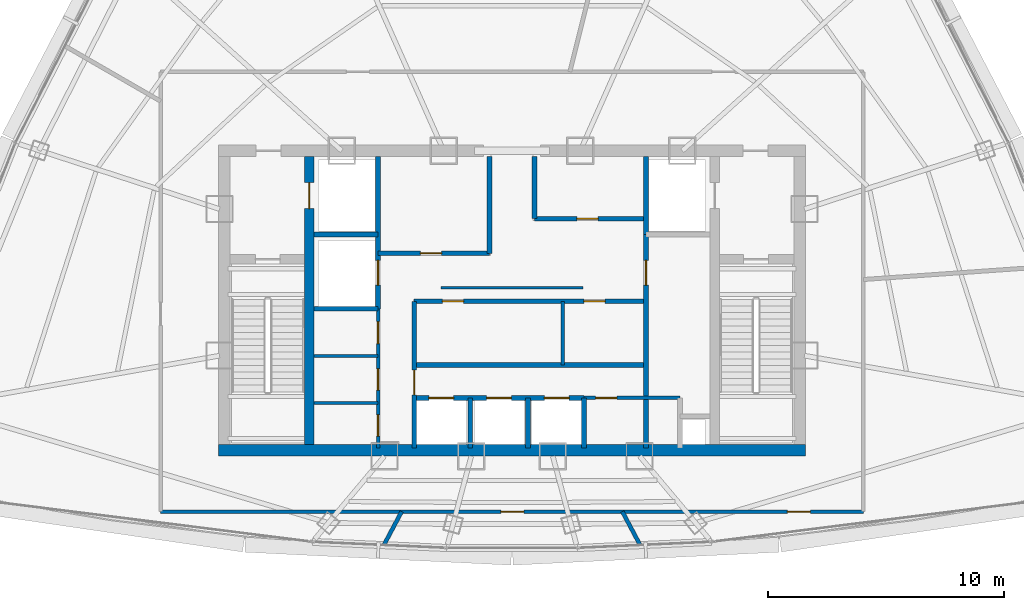
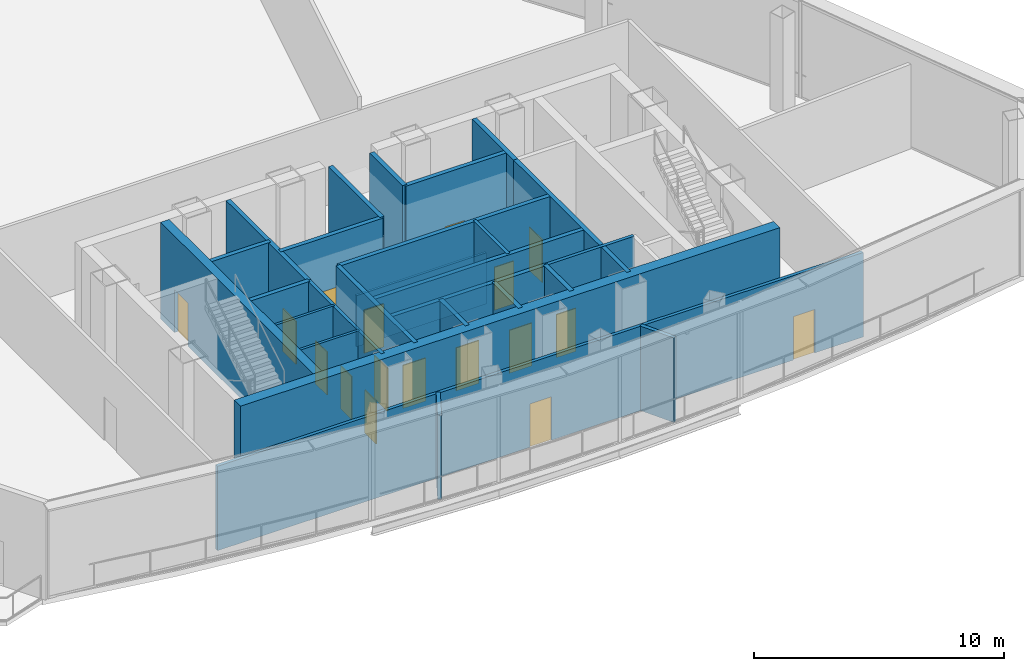
# One storey, part 24 of 29: 27 walls, 17 doors, 17 openings.
"""IFC4 building model written with IfcOpenShell, lengths in metres."""

from ifc_helpers import new_model, si_unit, direction, frame, frame_2d, origin, origin_with_axes, place, context, subcontext, project, spatial, rectangle, extrude, source, transform, mapped, material, layer, layer_set, type_object, element, fill, save


model = new_model("IFC4")

# Units and contexts
model_context = context("Model", 3, precision=1e-05, world=origin(), true_north=direction((0.0, 1.0)))
body_context = subcontext(model_context, "Body", "Model", "MODEL_VIEW")
ifc_project = project(units=[si_unit("LENGTHUNIT", "METRE"), si_unit("AREAUNIT", "SQUARE_METRE"), si_unit("VOLUMEUNIT", "CUBIC_METRE"), si_unit("PLANEANGLEUNIT", "RADIAN"), si_unit("MASSUNIT", "GRAM", prefix="KILO"), si_unit("THERMODYNAMICTEMPERATUREUNIT", "KELVIN"), si_unit("POWERUNIT", "WATT")], contexts=[model_context])

# Site, building, storey
site_placement = place(None, origin())
site = spatial("IfcSite", under=ifc_project, at=site_placement, CompositionType="ELEMENT")
building_placement = place(site_placement, origin())
building = spatial("IfcBuilding", under=site, at=building_placement, Name="Yunzhuo Pagoda Commons", CompositionType="ELEMENT")
storey_placement = place(building_placement, frame((0.0, 0.0, 366.760009765625)))
storey = spatial("IfcBuildingStorey", under=building, at=storey_placement, Name="L92", CompositionType="ELEMENT", Elevation=366.760009765625)

# Walls
ifc_material_1 = material(Name="Concrete C50", Category="concrete")
ifc_layer_1 = layer(ifc_material_1, 0.5)
ifc_layer_set_1 = layer_set([ifc_layer_1], Name="Concrete C50")
wall_type_1 = type_object("IfcWallType", Name="W-C03 Upper Core Shear Wall 500", PredefinedType="SHEAR", material=ifc_layer_set_1)
wall_1_placement = place(storey_placement, frame((35.550048828125, 27.5, 0.0), z_axis=(0.0, 0.0, 1.0), x_axis=(1.0, 0.0, 0.0)))
element("IfcWall", 1, at=wall_1_placement, inside=storey, type_object=wall_type_1, Name="L92 core shear wall S", PredefinedType="SHEAR", context=body_context, shape_type="SweptSolid", body=[
    extrude(rectangle(XDim=24.89990234375, YDim=0.5, at=frame_2d((12.449951171875, 0.0))), origin(), (0.0, 0.0, 1.0), 4.719970703125),
])
ifc_material_2 = material(Name="Gypsum plasterboard on acoustic stud")
ifc_layer_2 = layer(ifc_material_2, 0.14990234375)
ifc_layer_set_2 = layer_set([ifc_layer_2], Name="Gypsum plasterboard on acoustic stud")
wall_type_2 = type_object("IfcWallType", Name="W-COR3 High-Zone Rated Corridor Wall 150", PredefinedType="PARTITIONING", material=ifc_layer_set_2)
wall_2_placement = place(storey_placement, frame((50.14990234375, 31.1201171875, 0.0), z_axis=(0.0, 0.0, 1.0), x_axis=(0.0, 1.0, 0.0)))
element("IfcWall", 2, at=wall_2_placement, inside=storey, type_object=wall_type_2, Name="L92 interior wall IW-L92-FRMD", PredefinedType="PARTITIONING", context=body_context, shape_type="SweptSolid", body=[
    extrude(rectangle(XDim=2.699951171875, YDim=0.14990234375, at=frame_2d((1.35009765625, 0.0))), origin(), (0.0, 0.0, 1.0), 4.719970703125),
])

# Wall, openings, doors
wall_3_placement = place(storey_placement, frame((42.320068359375, 27.60009765625, 0.0), z_axis=(0.0, 0.0, 1.0), x_axis=(0.0, 1.0, 0.0)))
wall_3 = element("IfcWall", 3, at=wall_3_placement, inside=storey, type_object=wall_type_2, Name="L92 interior wall IW-L92-CSWE", PredefinedType="PARTITIONING", context=body_context, shape_type="SweptSolid", body=[
    extrude(rectangle(XDim=5.89990234375, YDim=0.14990234375, at=frame_2d((2.949951171875, 0.0))), origin(), (0.0, 0.0, 1.0), 4.719970703125),
])
opening_1_placement = place(wall_3_placement, frame((0.5, 0.0, 0.0)))
opening_1 = element("IfcOpeningElement", 4, at=opening_1_placement, cuts=wall_3, Name="Opening D-03", PredefinedType="OPENING", context=body_context, shape_type="SweptSolid", body=[
    extrude(rectangle(XDim=0.89990234375, YDim=2.10009765625, at=frame_2d((0.449951171875, 1.050048828125))), frame((0.0, 0.0849609375, 0.0), z_axis=(0.0, -1.0, 0.0), x_axis=(1.0, 0.0, 0.0)), (0.0, 0.0, 1.0), 0.169921875),
])
opening_2_placement = place(wall_3_placement, frame((2.449951171875, 0.0, 0.0)))
opening_2 = element("IfcOpeningElement", 5, at=opening_2_placement, cuts=wall_3, Name="Opening D-03", PredefinedType="OPENING", context=body_context, shape_type="SweptSolid", body=[
    extrude(rectangle(XDim=0.89990234375, YDim=2.10009765625, at=frame_2d((0.449951171875, 1.050048828125))), frame((0.0, 0.0849609375, 0.0), z_axis=(0.0, -1.0, 0.0), x_axis=(1.0, 0.0, 0.0)), (0.0, 0.0, 1.0), 0.169921875),
])
opening_3_placement = place(wall_3_placement, frame((4.419921875, 0.0, 0.0)))
opening_3 = element("IfcOpeningElement", 6, at=opening_3_placement, cuts=wall_3, Name="Opening D-11", PredefinedType="OPENING", context=body_context, shape_type="SweptSolid", body=[
    extrude(rectangle(XDim=0.93994140625, YDim=2.10009765625, at=frame_2d((0.469970703125, 1.050048828125))), frame((0.0, 0.0849609375, 0.0), z_axis=(0.0, -1.0, 0.0), x_axis=(1.0, 0.0, 0.0)), (0.0, 0.0, 1.0), 0.169921875),
])
ifc_material_3 = material(Name="Galvanized fire-resisting metal leaf")
door_type_1 = type_object("IfcDoorType", Name="D-03 Core Service Fire Door 900x2100", OperationType="NOTDEFINED", PredefinedType="DOOR", material=ifc_material_3)
shared_shape_1 = source(origin(), body_context, "Body", "SweptSolid", [
    extrude(rectangle(XDim=0.89990234375, YDim=2.10009765625, at=frame_2d((0.449951171875, 1.050048828125))), frame((0.0, 0.02490234375, 0.0), z_axis=(0.0, -1.0, 0.0), x_axis=(1.0, 0.0, 0.0)), (0.0, 0.0, 1.0), 0.050048828125),
])
door_1_placement = place(opening_1_placement, origin_with_axes())
door_1 = element("IfcDoor", 7, at=door_1_placement, inside=storey, type_object=door_type_1, Name="L92 switch door", OperationType="SINGLE_SWING_RIGHT", OverallHeight=2.10009765625, OverallWidth=0.89990234375, PredefinedType="DOOR", context=body_context, shape_type="MappedRepresentation", body=[
    mapped(shared_shape_1, transform((0.0, 0.0, 0.0), scale=1.0)),
])
fill(opening_1, door_1)
door_2_placement = place(opening_2_placement, origin_with_axes())
door_2 = element("IfcDoor", 8, at=door_2_placement, inside=storey, type_object=door_type_1, Name="L92 cleaner door", OperationType="SINGLE_SWING_RIGHT", OverallHeight=2.10009765625, OverallWidth=0.89990234375, PredefinedType="DOOR", context=body_context, shape_type="MappedRepresentation", body=[
    mapped(shared_shape_1, transform((0.0, 0.0, 0.0), scale=1.0)),
])
fill(opening_2, door_2)
door_type_2 = type_object("IfcDoorType", Name="D-11 Accessible Washroom Fire Door 940x2100", OperationType="NOTDEFINED", PredefinedType="DOOR", material=ifc_material_3)
shared_shape_2 = source(origin(), body_context, "Body", "SweptSolid", [
    extrude(rectangle(XDim=0.93994140625, YDim=2.10009765625, at=frame_2d((0.469970703125, 1.050048828125))), frame((0.0, 0.02490234375, 0.0), z_axis=(0.0, -1.0, 0.0), x_axis=(1.0, 0.0, 0.0)), (0.0, 0.0, 1.0), 0.050048828125),
])
door_3_placement = place(opening_3_placement, origin_with_axes())
door_3 = element("IfcDoor", 9, at=door_3_placement, inside=storey, type_object=door_type_2, Name="L92 core WC door", OperationType="SINGLE_SWING_LEFT", OverallHeight=2.10009765625, OverallWidth=0.93994140625, PredefinedType="DOOR", context=body_context, shape_type="MappedRepresentation", body=[
    mapped(shared_shape_2, transform((0.0, 0.0, 0.0), scale=1.0)),
])
fill(opening_3, door_3)

# Wall, opening, door
wall_4_placement = place(storey_placement, frame((51.050048828125, 29.719970703125, 0.0), z_axis=(0.0, 0.0, 1.0), x_axis=(1.0, 0.0, 0.0)))
wall_4 = element("IfcWall", 10, at=wall_4_placement, inside=storey, type_object=wall_type_2, Name="L92 interior wall IW-L92-CSES", PredefinedType="PARTITIONING", context=body_context, shape_type="SweptSolid", body=[
    extrude(rectangle(XDim=4.070068359375, YDim=0.14990234375, at=frame_2d((2.03515625, 0.0))), origin(), (0.0, 0.0, 1.0), 4.719970703125),
])
opening_4_placement = place(wall_4_placement, frame((0.5, 0.0, 0.0)))
opening_4 = element("IfcOpeningElement", 11, at=opening_4_placement, cuts=wall_4, Name="Opening D-03", PredefinedType="OPENING", context=body_context, shape_type="SweptSolid", body=[
    extrude(rectangle(XDim=0.89990234375, YDim=2.10009765625, at=frame_2d((0.449951171875, 1.050048828125))), frame((0.0, 0.0849609375, 0.0), z_axis=(0.0, -1.0, 0.0), x_axis=(1.0, 0.0, 0.0)), (0.0, 0.0, 1.0), 0.169921875),
])
door_4_placement = place(opening_4_placement, origin_with_axes())
door_4 = element("IfcDoor", 12, at=door_4_placement, inside=storey, type_object=door_type_1, Name="L92 core pantry door", OperationType="SINGLE_SWING_RIGHT", OverallHeight=2.10009765625, OverallWidth=0.89990234375, PredefinedType="DOOR", context=body_context, shape_type="MappedRepresentation", body=[
    mapped(shared_shape_1, transform((0.0, 0.0, 0.0), scale=1.0)),
])
fill(opening_4, door_4)

# Wall, openings, doors
wall_5_placement = place(storey_placement, frame((33.10009765625, 24.89990234375, 0.0), z_axis=(0.0, 0.0, 1.0), x_axis=(1.0, 0.0, 0.0)))
wall_5 = element("IfcWall", 13, at=wall_5_placement, inside=storey, type_object=wall_type_2, Name="L92 interior wall IW-L92-SCW01", PredefinedType="PARTITIONING", context=body_context, shape_type="SweptSolid", body=[
    extrude(rectangle(XDim=29.7998046875, YDim=0.14990234375, at=frame_2d((14.89990234375, 0.0))), origin(), (0.0, 0.0, 1.0), 4.119873046875),
])
opening_5_placement = place(wall_5_placement, frame((14.425048828125, 0.0, 0.0)))
opening_5 = element("IfcOpeningElement", 14, at=opening_5_placement, cuts=wall_5, Name="Opening D-08", PredefinedType="OPENING", context=body_context, shape_type="SweptSolid", body=[
    extrude(rectangle(XDim=0.97998046875, YDim=2.1201171875, at=frame_2d((0.489990234375, 1.06005859375))), frame((0.0, 0.0849609375, 0.0), z_axis=(0.0, -1.0, 0.0), x_axis=(1.0, 0.0, 0.0)), (0.0, 0.0, 1.0), 0.169921875),
])
opening_6_placement = place(wall_5_placement, frame((26.57470703125, 0.0, 0.0)))
opening_6 = element("IfcOpeningElement", 15, at=opening_6_placement, cuts=wall_5, Name="Opening D-08", PredefinedType="OPENING", context=body_context, shape_type="SweptSolid", body=[
    extrude(rectangle(XDim=0.97998046875, YDim=2.1201171875, at=frame_2d((0.489990234375, 1.06005859375))), frame((0.0, 0.0849609375, 0.0), z_axis=(0.0, -1.0, 0.0), x_axis=(1.0, 0.0, 0.0)), (0.0, 0.0, 1.0), 0.169921875),
])
door_type_3 = type_object("IfcDoorType", Name="D-08 High-Zone Suite Entrance Fire Door 980x2120", OperationType="NOTDEFINED", PredefinedType="DOOR", material=ifc_material_3)
shared_shape_3 = source(origin(), body_context, "Body", "SweptSolid", [
    extrude(rectangle(XDim=0.97998046875, YDim=2.1201171875, at=frame_2d((0.489990234375, 1.06005859375))), frame((0.0, 0.02490234375, 0.0), z_axis=(0.0, -1.0, 0.0), x_axis=(1.0, 0.0, 0.0)), (0.0, 0.0, 1.0), 0.050048828125),
])
door_5_placement = place(opening_5_placement, origin_with_axes())
door_5 = element("IfcDoor", 16, at=door_5_placement, inside=storey, type_object=door_type_3, Name="L92 Summit Study Workroom door", OperationType="SINGLE_SWING_RIGHT", OverallHeight=2.1201171875, OverallWidth=0.97998046875, PredefinedType="DOOR", context=body_context, shape_type="MappedRepresentation", body=[
    mapped(shared_shape_3, transform((0.0, 0.0, 0.0), scale=1.0)),
])
fill(opening_5, door_5)
door_6_placement = place(opening_6_placement, origin_with_axes())
door_6 = element("IfcDoor", 17, at=door_6_placement, inside=storey, type_object=door_type_3, Name="L92 Sky Lobby Reading Commons door", OperationType="SINGLE_SWING_LEFT", OverallHeight=2.1201171875, OverallWidth=0.97998046875, PredefinedType="DOOR", context=body_context, shape_type="MappedRepresentation", body=[
    mapped(shared_shape_3, transform((0.0, 0.0, 0.0), scale=1.0)),
])
fill(opening_6, door_6)

# Walls
ifc_material_4 = material(Name="Anodized aluminium 6063-T6", Category="aluminium")
ifc_layer_3 = layer(ifc_material_4, 0.110107421875)
ifc_layer_set_3 = layer_set([ifc_layer_3], Name="Anodized aluminium 6063-T6")
wall_type_3 = type_object("IfcWallType", Name="W-MOV1 Operable Seminar Partition 110", PredefinedType="MOVABLE", material=ifc_layer_set_3)
wall_6_placement = place(storey_placement, frame((45.0, 34.39990234375, 0.0), z_axis=(0.0, 0.0, 1.0), x_axis=(1.0, 0.0, 0.0)))
element("IfcWall", 18, at=wall_6_placement, inside=storey, type_object=wall_type_3, Name="L92 acoustic movable lobby screen", PredefinedType="MOVABLE", context=body_context, shape_type="SweptSolid", body=[
    extrude(rectangle(XDim=6.0, YDim=0.110107421875, at=frame_2d((3.0, 0.0))), origin(), (0.0, 0.0, 1.0), 2.5),
])
ifc_layer_4 = layer(ifc_material_2, 0.1201171875)
ifc_layer_set_4 = layer_set([ifc_layer_4], Name="Gypsum plasterboard on acoustic stud")
wall_type_4 = type_object("IfcWallType", Name="W-PRT1 Suite & Bathroom Partition 120", PredefinedType="PARTITIONING", material=ifc_layer_set_4)
for number, where, z_axis, x_axis, name in (
    (19, (39.60009765625, 29.5, 0.0), (0.0, 0.0, 1.0), (1.0, 0.0, 0.0), "L92 interior wall IW-L92-CC1"),
    (20, (39.60009765625, 31.5, 0.0), (0.0, 0.0, 1.0), (1.0, 0.0, 0.0), "L92 interior wall IW-L92-CC2"),
):
    element("IfcWall", number, at=place(storey_placement, frame(where, z_axis=z_axis, x_axis=x_axis)), inside=storey, type_object=wall_type_4, Name=name, PredefinedType="PARTITIONING", context=body_context, shape_type="SweptSolid", body=[
        extrude(rectangle(XDim=2.719970703125, YDim=0.1201171875, at=frame_2d((1.35986328125, 0.0))), origin(), (0.0, 0.0, 1.0), 4.719970703125),
    ])
ifc_layer_5 = layer(ifc_material_2, 0.169921875)
ifc_layer_set_5 = layer_set([ifc_layer_5], Name="Gypsum plasterboard on acoustic stud")
wall_type_5 = type_object("IfcWallType", Name="W-PRT4 High-Zone Demising Wall 170", PredefinedType="PARTITIONING", material=ifc_layer_set_5)
for number, where, z_axis, x_axis, name in (
    (21, (43.321044921875, 24.89990234375, 0.0), (0.0, 0.0, 1.0), (-0.469477034004, -0.882944683739, 0.0), "L92 interior wall IW-L92-SRAD4"),
    (22, (52.678955078125, 24.89990234375, 0.0), (0.0, 0.0, 1.0), (0.469477034004, -0.882944683739, 0.0), "L92 interior wall IW-L92-SRAD5"),
):
    element("IfcWall", number, at=place(storey_placement, frame(where, z_axis=z_axis, x_axis=x_axis)), inside=storey, type_object=wall_type_5, Name=name, PredefinedType="PARTITIONING", context=body_context, shape_type="SweptSolid", body=[
        extrude(rectangle(XDim=1.6083984375, YDim=0.169921875, at=frame_2d((0.80419921875, 0.0))), origin(), (0.0, 0.0, 1.0), 4.119873046875),
    ])

# Wall, opening, door
ifc_material_5 = material(Name="Concrete C60", Category="concrete")
ifc_layer_6 = layer(ifc_material_5, 0.39990234375)
ifc_layer_set_6 = layer_set([ifc_layer_6], Name="Concrete C60")
wall_type_6 = type_object("IfcWallType", Name="W-S01 Internal Core Shear Web 400", PredefinedType="SHEAR", material=ifc_layer_set_6)
wall_7_placement = place(storey_placement, frame((39.39990234375, 27.75, 0.0), z_axis=(0.0, 0.0, 1.0), x_axis=(0.0, 1.0, 0.0)))
wall_7 = element("IfcWall", 23, at=wall_7_placement, inside=storey, type_object=wall_type_6, Name="L92 core shear wall WEBW", PredefinedType="SHEAR", context=body_context, shape_type="SweptSolid", body=[
    extrude(rectangle(XDim=12.199951171875, YDim=0.39990234375, at=frame_2d((6.10009765625, 0.0))), origin(), (0.0, 0.0, 1.0), 4.719970703125),
])
opening_7_placement = place(wall_7_placement, frame((10.0, 0.0, 0.0)))
opening_7 = element("IfcOpeningElement", 24, at=opening_7_placement, cuts=wall_7, Name="Opening LD-01", PredefinedType="OPENING", context=body_context, shape_type="SweptSolid", body=[
    extrude(rectangle(XDim=1.10009765625, YDim=2.10009765625, at=frame_2d((0.550048828125, 1.050048828125))), frame((0.0, 0.2099609375, 0.0), z_axis=(0.0, -1.0, 0.0), x_axis=(1.0, 0.0, 0.0)), (0.0, 0.0, 1.0), 0.419921875),
])
door_type_4 = type_object("IfcDoorType", Name="LD-01 Firefighting Lift Landing Door 1100x2100", OperationType="DOUBLE_DOOR_SLIDING", PredefinedType="DOOR", material=ifc_material_3)
shared_shape_4 = source(origin(), body_context, "Body", "SweptSolid", [
    extrude(rectangle(XDim=1.10009765625, YDim=2.10009765625, at=frame_2d((0.550048828125, 1.050048828125))), frame((0.0, 0.02490234375, 0.0), z_axis=(0.0, -1.0, 0.0), x_axis=(1.0, 0.0, 0.0)), (0.0, 0.0, 1.0), 0.050048828125),
])
door_7_placement = place(opening_7_placement, frame((1.10009765625, 0.0, 0.0), z_axis=(0.0, 0.0, 1.0), x_axis=(-1.0, 0.0, 0.0)))
door_7 = element("IfcDoor", 25, at=door_7_placement, inside=storey, type_object=door_type_4, Name="L92 Firefighting lift FL-1 landing door", OperationType="DOUBLE_DOOR_SLIDING", OverallHeight=2.10009765625, OverallWidth=1.10009765625, PredefinedType="DOOR", context=body_context, shape_type="MappedRepresentation", body=[
    mapped(shared_shape_4, transform((0.0, 0.0, 0.0), scale=1.0)),
])
fill(opening_7, door_7)

ifc_material_6 = material(Name="Concrete C40", Category="concrete")
ifc_layer_7 = layer(ifc_material_6, 0.199951171875)
ifc_layer_set_7 = layer_set([ifc_layer_7], Name="Concrete C40")
wall_type_7 = type_object("IfcWallType", Name="W-SHF Shaft & Stair Enclosure Wall 200", PredefinedType="SOLIDWALL", material=ifc_layer_set_7)
wall_8_placement = place(storey_placement, frame((42.320068359375, 33.5, 0.0), z_axis=(0.0, 0.0, 1.0), x_axis=(0.0, 1.0, 0.0)))
wall_8 = element("IfcWall", 26, at=wall_8_placement, inside=storey, type_object=wall_type_7, Name="L92 interior wall IW-L92-FL1E", PredefinedType="SOLIDWALL", context=body_context, shape_type="SweptSolid", body=[
    extrude(rectangle(XDim=6.449951171875, YDim=0.199951171875, at=frame_2d((3.22509765625, 0.0))), origin(), (0.0, 0.0, 1.0), 4.719970703125),
])
opening_8_placement = place(wall_8_placement, frame((1.0, 0.0, 0.0)))
opening_8 = element("IfcOpeningElement", 27, at=opening_8_placement, cuts=wall_8, Name="Opening LD-02", PredefinedType="OPENING", context=body_context, shape_type="SweptSolid", body=[
    extrude(rectangle(XDim=1.050048828125, YDim=2.10009765625, at=frame_2d((0.52490234375, 1.050048828125))), frame((0.0, 0.10986328125, 0.0), z_axis=(0.0, -1.0, 0.0), x_axis=(1.0, 0.0, 0.0)), (0.0, 0.0, 1.0), 0.219970703125),
])
door_type_5 = type_object("IfcDoorType", Name="LD-02 Passenger Lift Landing Door 1050x2100", OperationType="DOUBLE_DOOR_SLIDING", PredefinedType="DOOR", material=ifc_material_3)
shared_shape_5 = source(origin(), body_context, "Body", "SweptSolid", [
    extrude(rectangle(XDim=1.050048828125, YDim=2.10009765625, at=frame_2d((0.52490234375, 1.050048828125))), frame((0.0, 0.02490234375, 0.0), z_axis=(0.0, -1.0, 0.0), x_axis=(1.0, 0.0, 0.0)), (0.0, 0.0, 1.0), 0.050048828125),
])
door_8_placement = place(opening_8_placement, origin_with_axes())
door_8 = element("IfcDoor", 28, at=door_8_placement, inside=storey, type_object=door_type_5, Name="L92 Service lift SL-1 landing door", OperationType="DOUBLE_DOOR_SLIDING", OverallHeight=2.10009765625, OverallWidth=1.050048828125, PredefinedType="DOOR", context=body_context, shape_type="MappedRepresentation", body=[
    mapped(shared_shape_5, transform((0.0, 0.0, 0.0), scale=1.0)),
])
fill(opening_8, door_8)

# Walls
for number, where, z_axis, x_axis, name in (
    (29, (39.60009765625, 36.64990234375, 0.0), (0.0, 0.0, 1.0), (1.0, 0.0, 0.0), "L92 interior wall IW-L92-FL1S"),
    (30, (39.60009765625, 33.5, 0.0), (0.0, 0.0, 1.0), (1.0, 0.0, 0.0), "L92 interior wall IW-L92-SL1S"),
):
    element("IfcWall", number, at=place(storey_placement, frame(where, z_axis=z_axis, x_axis=x_axis)), inside=storey, type_object=wall_type_7, Name=name, PredefinedType="SOLIDWALL", context=body_context, shape_type="SweptSolid", body=[
        extrude(rectangle(XDim=2.719970703125, YDim=0.199951171875, at=frame_2d((1.35986328125, 0.0))), origin(), (0.0, 0.0, 1.0), 4.719970703125),
    ])
wall_9_placement = place(storey_placement, frame((53.679931640625, 36.64990234375, 0.0), z_axis=(0.0, 0.0, 1.0), x_axis=(0.0, 1.0, 0.0)))
element("IfcWall", 31, at=wall_9_placement, inside=storey, type_object=wall_type_7, Name="L92 interior wall IW-L92-FL2W", PredefinedType="SOLIDWALL", context=body_context, shape_type="SweptSolid", body=[
    extrude(rectangle(XDim=3.300048828125, YDim=0.199951171875, at=frame_2d((1.64990234375, 0.0))), origin(), (0.0, 0.0, 1.0), 4.719970703125),
])

# Wall, opening, door
wall_10_placement = place(storey_placement, frame((42.320068359375, 35.85009765625, 0.0), z_axis=(0.0, 0.0, 1.0), x_axis=(1.0, 0.0, 0.0)))
wall_10 = element("IfcWall", 32, at=wall_10_placement, inside=storey, type_object=wall_type_7, Name="L92 interior wall IW-L92-LBNW", PredefinedType="SOLIDWALL", context=body_context, shape_type="SweptSolid", body=[
    extrude(rectangle(XDim=4.72998046875, YDim=0.199951171875, at=frame_2d((2.364990234375, 0.0))), origin(), (0.0, 0.0, 1.0), 4.719970703125),
])
opening_9_placement = place(wall_10_placement, frame((1.800048828125, 0.0, 0.0)))
opening_9 = element("IfcOpeningElement", 33, at=opening_9_placement, cuts=wall_10, Name="Opening D-03", PredefinedType="OPENING", context=body_context, shape_type="SweptSolid", body=[
    extrude(rectangle(XDim=0.89990234375, YDim=2.10009765625, at=frame_2d((0.449951171875, 1.050048828125))), frame((0.0, 0.10986328125, 0.0), z_axis=(0.0, -1.0, 0.0), x_axis=(1.0, 0.0, 0.0)), (0.0, 0.0, 1.0), 0.219970703125),
])
door_9_placement = place(opening_9_placement, frame((0.89990234375, 0.0, 0.0), z_axis=(0.0, 0.0, 1.0), x_axis=(-1.0, 0.0, 0.0)))
door_9 = element("IfcDoor", 34, at=door_9_placement, inside=storey, type_object=door_type_1, Name="L92 core west store door", OperationType="SINGLE_SWING_LEFT", OverallHeight=2.10009765625, OverallWidth=0.89990234375, PredefinedType="DOOR", context=body_context, shape_type="MappedRepresentation", body=[
    mapped(shared_shape_1, transform((0.0, 0.0, 0.0), scale=1.0)),
])
fill(opening_9, door_9)

wall_11_placement = place(storey_placement, frame((48.949951171875, 37.320068359375, 0.0), z_axis=(0.0, 0.0, 1.0), x_axis=(1.0, 0.0, 0.0)))
wall_11 = element("IfcWall", 35, at=wall_11_placement, inside=storey, type_object=wall_type_7, Name="L92 interior wall IW-L92-LBNE", PredefinedType="SOLIDWALL", context=body_context, shape_type="SweptSolid", body=[
    extrude(rectangle(XDim=4.72998046875, YDim=0.199951171875, at=frame_2d((2.364990234375, 0.0))), origin(), (0.0, 0.0, 1.0), 4.719970703125),
])
opening_10_placement = place(wall_11_placement, frame((1.800048828125, 0.0, 0.0)))
opening_10 = element("IfcOpeningElement", 36, at=opening_10_placement, cuts=wall_11, Name="Opening D-03", PredefinedType="OPENING", context=body_context, shape_type="SweptSolid", body=[
    extrude(rectangle(XDim=0.89990234375, YDim=2.10009765625, at=frame_2d((0.449951171875, 1.050048828125))), frame((0.0, 0.10986328125, 0.0), z_axis=(0.0, -1.0, 0.0), x_axis=(1.0, 0.0, 0.0)), (0.0, 0.0, 1.0), 0.219970703125),
])
door_10_placement = place(opening_10_placement, frame((0.89990234375, 0.0, 0.0), z_axis=(0.0, 0.0, 1.0), x_axis=(-1.0, 0.0, 0.0)))
door_10 = element("IfcDoor", 37, at=door_10_placement, inside=storey, type_object=door_type_1, Name="L92 core east store door", OperationType="SINGLE_SWING_RIGHT", OverallHeight=2.10009765625, OverallWidth=0.89990234375, PredefinedType="DOOR", context=body_context, shape_type="MappedRepresentation", body=[
    mapped(shared_shape_1, transform((0.0, 0.0, 0.0), scale=1.0)),
])
fill(opening_10, door_10)

# Walls
wall_12_placement = place(storey_placement, frame((47.050048828125, 35.85009765625, 0.0), z_axis=(0.0, 0.0, 1.0), x_axis=(0.0, 1.0, 0.0)))
element("IfcWall", 38, at=wall_12_placement, inside=storey, type_object=wall_type_7, Name="L92 interior wall IW-L92-THRW", PredefinedType="SOLIDWALL", context=body_context, shape_type="SweptSolid", body=[
    extrude(rectangle(XDim=4.099853515625, YDim=0.199951171875, at=frame_2d((2.0498046875, 0.0))), origin(), (0.0, 0.0, 1.0), 4.719970703125),
])
wall_13_placement = place(storey_placement, frame((48.949951171875, 37.320068359375, 0.0), z_axis=(0.0, 0.0, 1.0), x_axis=(0.0, 1.0, 0.0)))
element("IfcWall", 39, at=wall_13_placement, inside=storey, type_object=wall_type_7, Name="L92 interior wall IW-L92-THRE", PredefinedType="SOLIDWALL", context=body_context, shape_type="SweptSolid", body=[
    extrude(rectangle(XDim=2.6298828125, YDim=0.199951171875, at=frame_2d((1.31494140625, 0.0))), origin(), (0.0, 0.0, 1.0), 4.719970703125),
])

# Wall, openings, doors
wall_14_placement = place(storey_placement, frame((43.85009765625, 33.820068359375, 0.0), z_axis=(0.0, 0.0, 1.0), x_axis=(1.0, 0.0, 0.0)))
wall_14 = element("IfcWall", 40, at=wall_14_placement, inside=storey, type_object=wall_type_7, Name="L92 interior wall IW-L92-MLBS", PredefinedType="SOLIDWALL", context=body_context, shape_type="SweptSolid", body=[
    extrude(rectangle(XDim=9.829833984375, YDim=0.199951171875, at=frame_2d((4.9150390625, 0.0))), origin(), (0.0, 0.0, 1.0), 4.719970703125),
])
opening_11_placement = place(wall_14_placement, frame((1.199951171875, 0.0, 0.0)))
opening_11 = element("IfcOpeningElement", 41, at=opening_11_placement, cuts=wall_14, Name="Opening D-03", PredefinedType="OPENING", context=body_context, shape_type="SweptSolid", body=[
    extrude(rectangle(XDim=0.89990234375, YDim=2.10009765625, at=frame_2d((0.449951171875, 1.050048828125))), frame((0.0, 0.10986328125, 0.0), z_axis=(0.0, -1.0, 0.0), x_axis=(1.0, 0.0, 0.0)), (0.0, 0.0, 1.0), 0.219970703125),
])
opening_12_placement = place(wall_14_placement, frame((7.199951171875, 0.0, 0.0)))
opening_12 = element("IfcOpeningElement", 42, at=opening_12_placement, cuts=wall_14, Name="Opening D-03", PredefinedType="OPENING", context=body_context, shape_type="SweptSolid", body=[
    extrude(rectangle(XDim=0.89990234375, YDim=2.10009765625, at=frame_2d((0.449951171875, 1.050048828125))), frame((0.0, 0.10986328125, 0.0), z_axis=(0.0, -1.0, 0.0), x_axis=(1.0, 0.0, 0.0)), (0.0, 0.0, 1.0), 0.219970703125),
])
door_11_placement = place(opening_11_placement, origin_with_axes())
door_11 = element("IfcDoor", 43, at=door_11_placement, inside=storey, type_object=door_type_1, Name="L92 core mid-west store door", OperationType="SINGLE_SWING_LEFT", OverallHeight=2.10009765625, OverallWidth=0.89990234375, PredefinedType="DOOR", context=body_context, shape_type="MappedRepresentation", body=[
    mapped(shared_shape_1, transform((0.0, 0.0, 0.0), scale=1.0)),
])
fill(opening_11, door_11)
door_12_placement = place(opening_12_placement, origin_with_axes())
door_12 = element("IfcDoor", 44, at=door_12_placement, inside=storey, type_object=door_type_1, Name="L92 core mid-east store door", OperationType="SINGLE_SWING_RIGHT", OverallHeight=2.10009765625, OverallWidth=0.89990234375, PredefinedType="DOOR", context=body_context, shape_type="MappedRepresentation", body=[
    mapped(shared_shape_1, transform((0.0, 0.0, 0.0), scale=1.0)),
])
fill(opening_12, door_12)

# Wall, opening, door
wall_15_placement = place(storey_placement, frame((43.85009765625, 27.60009765625, 0.0), z_axis=(0.0, 0.0, 1.0), x_axis=(0.0, 1.0, 0.0)))
wall_15 = element("IfcWall", 45, at=wall_15_placement, inside=storey, type_object=wall_type_7, Name="L92 interior wall IW-L92-PLMW", PredefinedType="SOLIDWALL", context=body_context, shape_type="SweptSolid", body=[
    extrude(rectangle(XDim=6.219970703125, YDim=0.199951171875, at=frame_2d((3.10986328125, 0.0))), origin(), (0.0, 0.0, 1.0), 4.719970703125),
])
opening_13_placement = place(wall_15_placement, frame((2.25, 0.0, 0.0)))
opening_13 = element("IfcOpeningElement", 46, at=opening_13_placement, cuts=wall_15, Name="Opening D-02", PredefinedType="OPENING", context=body_context, shape_type="SweptSolid", body=[
    extrude(rectangle(XDim=1.050048828125, YDim=2.10009765625, at=frame_2d((0.52490234375, 1.050048828125))), frame((0.0, 0.10986328125, 0.0), z_axis=(0.0, -1.0, 0.0), x_axis=(1.0, 0.0, 0.0)), (0.0, 0.0, 1.0), 0.219970703125),
])
door_type_6 = type_object("IfcDoorType", Name="D-02 Firefighting Lobby & Refuge Fire Door 1050x2100", OperationType="NOTDEFINED", PredefinedType="DOOR", material=ifc_material_3)
door_13_placement = place(opening_13_placement, frame((1.050048828125, 0.0, 0.0), z_axis=(0.0, 0.0, 1.0), x_axis=(-1.0, 0.0, 0.0)))
door_13 = element("IfcDoor", 47, at=door_13_placement, inside=storey, type_object=door_type_6, Name="L92 High-bank hall west door", OperationType="SINGLE_SWING_LEFT", OverallHeight=2.10009765625, OverallWidth=1.050048828125, PredefinedType="DOOR", context=body_context, shape_type="MappedRepresentation", body=[
    mapped(shared_shape_5, transform((0.0, 0.0, 0.0), scale=1.0)),
])
fill(opening_13, door_13)

wall_16_placement = place(storey_placement, frame((53.679931640625, 27.60009765625, 0.0), z_axis=(0.0, 0.0, 1.0), x_axis=(0.0, 1.0, 0.0)))
wall_16 = element("IfcWall", 48, at=wall_16_placement, inside=storey, type_object=wall_type_7, Name="L92 interior wall IW-L92-PLME", PredefinedType="SOLIDWALL", context=body_context, shape_type="SweptSolid", body=[
    extrude(rectangle(XDim=9.0498046875, YDim=0.199951171875, at=frame_2d((4.52490234375, 0.0))), origin(), (0.0, 0.0, 1.0), 4.719970703125),
])
opening_14_placement = place(wall_16_placement, frame((6.89990234375, 0.0, 0.0)))
opening_14 = element("IfcOpeningElement", 49, at=opening_14_placement, cuts=wall_16, Name="Opening D-02", PredefinedType="OPENING", context=body_context, shape_type="SweptSolid", body=[
    extrude(rectangle(XDim=1.050048828125, YDim=2.10009765625, at=frame_2d((0.52490234375, 1.050048828125))), frame((0.0, 0.10986328125, 0.0), z_axis=(0.0, -1.0, 0.0), x_axis=(1.0, 0.0, 0.0)), (0.0, 0.0, 1.0), 0.219970703125),
])
door_14_placement = place(opening_14_placement, origin_with_axes())
door_14 = element("IfcDoor", 50, at=door_14_placement, inside=storey, type_object=door_type_6, Name="L92 High-bank lift hall door", OperationType="SINGLE_SWING_RIGHT", OverallHeight=2.10009765625, OverallWidth=1.050048828125, PredefinedType="DOOR", context=body_context, shape_type="MappedRepresentation", body=[
    mapped(shared_shape_5, transform((0.0, 0.0, 0.0), scale=1.0)),
])
fill(opening_14, door_14)

# Wall, openings, doors
wall_17_placement = place(storey_placement, frame((43.85009765625, 29.719970703125, 0.0), z_axis=(0.0, 0.0, 1.0), x_axis=(1.0, 0.0, 0.0)))
wall_17 = element("IfcWall", 51, at=wall_17_placement, inside=storey, type_object=wall_type_7, Name="L92 interior wall IW-L92-PLHN", PredefinedType="SOLIDWALL", context=body_context, shape_type="SweptSolid", body=[
    extrude(rectangle(XDim=7.199951171875, YDim=0.199951171875, at=frame_2d((3.60009765625, 0.0))), origin(), (0.0, 0.0, 1.0), 4.719970703125),
])
opening_15_placement = place(wall_17_placement, frame((0.625, 0.0, 0.0)))
opening_15 = element("IfcOpeningElement", 52, at=opening_15_placement, cuts=wall_17, Name="Opening LD-02", PredefinedType="OPENING", context=body_context, shape_type="SweptSolid", body=[
    extrude(rectangle(XDim=1.050048828125, YDim=2.10009765625, at=frame_2d((0.52490234375, 1.050048828125))), frame((0.0, 0.10986328125, 0.0), z_axis=(0.0, -1.0, 0.0), x_axis=(1.0, 0.0, 0.0)), (0.0, 0.0, 1.0), 0.219970703125),
])
opening_16_placement = place(wall_17_placement, frame((3.074951171875, 0.0, 0.0)))
opening_16 = element("IfcOpeningElement", 53, at=opening_16_placement, cuts=wall_17, Name="Opening LD-02", PredefinedType="OPENING", context=body_context, shape_type="SweptSolid", body=[
    extrude(rectangle(XDim=1.050048828125, YDim=2.10009765625, at=frame_2d((0.52490234375, 1.050048828125))), frame((0.0, 0.10986328125, 0.0), z_axis=(0.0, -1.0, 0.0), x_axis=(1.0, 0.0, 0.0)), (0.0, 0.0, 1.0), 0.219970703125),
])
opening_17_placement = place(wall_17_placement, frame((5.52490234375, 0.0, 0.0)))
opening_17 = element("IfcOpeningElement", 54, at=opening_17_placement, cuts=wall_17, Name="Opening LD-02", PredefinedType="OPENING", context=body_context, shape_type="SweptSolid", body=[
    extrude(rectangle(XDim=1.050048828125, YDim=2.10009765625, at=frame_2d((0.52490234375, 1.050048828125))), frame((0.0, 0.10986328125, 0.0), z_axis=(0.0, -1.0, 0.0), x_axis=(1.0, 0.0, 0.0)), (0.0, 0.0, 1.0), 0.219970703125),
])
door_15_placement = place(opening_15_placement, origin_with_axes())
door_15 = element("IfcDoor", 55, at=door_15_placement, inside=storey, type_object=door_type_5, Name="L92 Passenger lift PL-H1 landing door", OperationType="DOUBLE_DOOR_SLIDING", OverallHeight=2.10009765625, OverallWidth=1.050048828125, PredefinedType="DOOR", context=body_context, shape_type="MappedRepresentation", body=[
    mapped(shared_shape_5, transform((0.0, 0.0, 0.0), scale=1.0)),
])
fill(opening_15, door_15)
door_16_placement = place(opening_16_placement, origin_with_axes())
door_16 = element("IfcDoor", 56, at=door_16_placement, inside=storey, type_object=door_type_5, Name="L92 Passenger lift PL-H2 landing door", OperationType="DOUBLE_DOOR_SLIDING", OverallHeight=2.10009765625, OverallWidth=1.050048828125, PredefinedType="DOOR", context=body_context, shape_type="MappedRepresentation", body=[
    mapped(shared_shape_5, transform((0.0, 0.0, 0.0), scale=1.0)),
])
fill(opening_16, door_16)
door_17_placement = place(opening_17_placement, origin_with_axes())
door_17 = element("IfcDoor", 57, at=door_17_placement, inside=storey, type_object=door_type_5, Name="L92 Passenger lift PL-H3 landing door", OperationType="DOUBLE_DOOR_SLIDING", OverallHeight=2.10009765625, OverallWidth=1.050048828125, PredefinedType="DOOR", context=body_context, shape_type="MappedRepresentation", body=[
    mapped(shared_shape_5, transform((0.0, 0.0, 0.0), scale=1.0)),
])
fill(opening_17, door_17)

# Walls
wall_18_placement = place(storey_placement, frame((51.050048828125, 27.60009765625, 0.0), z_axis=(0.0, 0.0, 1.0), x_axis=(0.0, 1.0, 0.0)))
element("IfcWall", 58, at=wall_18_placement, inside=storey, type_object=wall_type_7, Name="L92 interior wall IW-L92-PLHE", PredefinedType="SOLIDWALL", context=body_context, shape_type="SweptSolid", body=[
    extrude(rectangle(XDim=2.119873046875, YDim=0.199951171875, at=frame_2d((1.06005859375, 0.0))), origin(), (0.0, 0.0, 1.0), 4.719970703125),
])
wall_19_placement = place(storey_placement, frame((43.85009765625, 31.1201171875, 0.0), z_axis=(0.0, 0.0, 1.0), x_axis=(1.0, 0.0, 0.0)))
element("IfcWall", 59, at=wall_19_placement, inside=storey, type_object=wall_type_7, Name="L92 interior wall IW-L92-PLMS2", PredefinedType="SOLIDWALL", context=body_context, shape_type="SweptSolid", body=[
    extrude(rectangle(XDim=9.829833984375, YDim=0.199951171875, at=frame_2d((4.9150390625, 0.0))), origin(), (0.0, 0.0, 1.0), 4.719970703125),
])
for number, where, z_axis, x_axis, name in (
    (60, (46.22509765625, 27.60009765625, 0.0), (0.0, 0.0, 1.0), (0.0, 1.0, 0.0), "L92 interior wall IW-L92-PLHD1"),
    (61, (48.675048828125, 27.60009765625, 0.0), (0.0, 0.0, 1.0), (0.0, 1.0, 0.0), "L92 interior wall IW-L92-PLHD2"),
):
    element("IfcWall", number, at=place(storey_placement, frame(where, z_axis=z_axis, x_axis=x_axis)), inside=storey, type_object=wall_type_7, Name=name, PredefinedType="SOLIDWALL", context=body_context, shape_type="SweptSolid", body=[
        extrude(rectangle(XDim=2.119873046875, YDim=0.199951171875, at=frame_2d((1.06005859375, 0.0))), origin(), (0.0, 0.0, 1.0), 4.719970703125),
    ])

save(model, "model.ifc")
